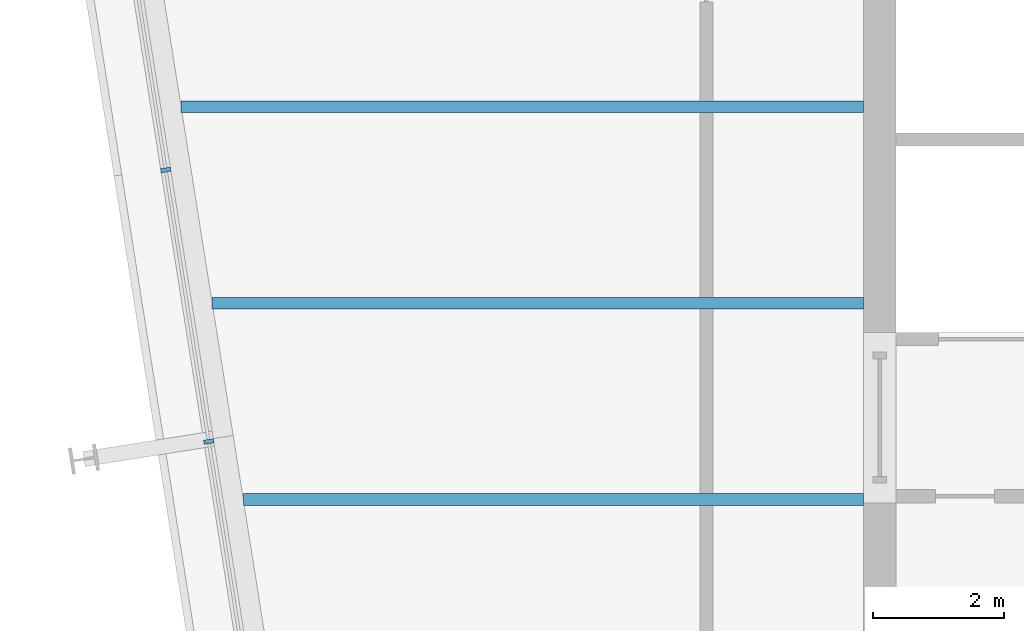
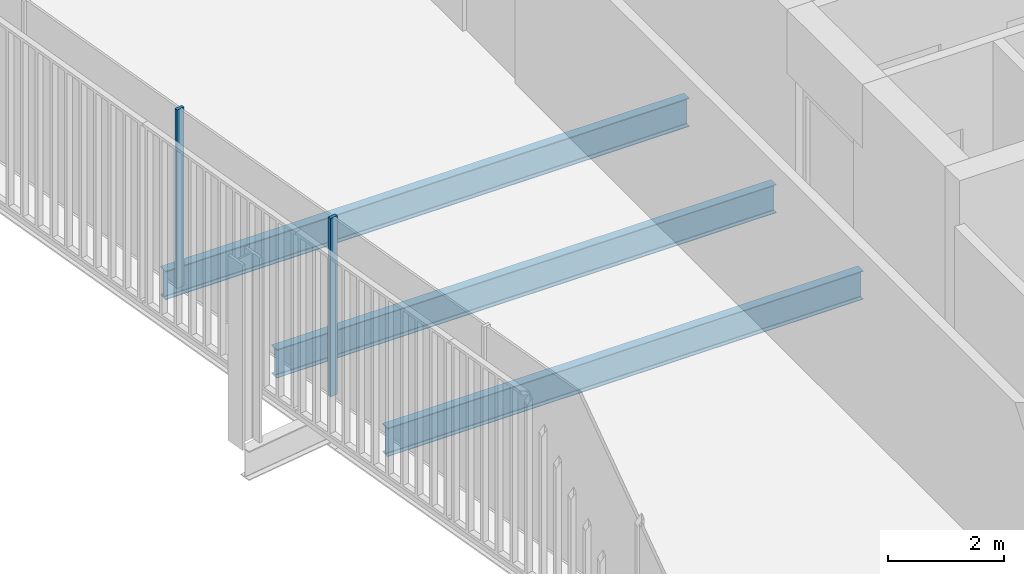
# One storey, part 4 of 20: 3 beams, 2 members, 1 element without a shape of its own.
"""IFC4 building model written with IfcOpenShell, lengths in metres."""

from ifc_helpers import new_model, si_unit, direction, frame, origin, origin_2d, place, context, subcontext, project, spatial, rectangle, i_section, extrude, material, layer, layer_set, material_profile, profile_set, type_object, element, aggregate, save


model = new_model("IFC4")

# Units and contexts
model_context = context("Model", 3, precision=1e-05, world=origin(), true_north=direction((0.0, 1.0)))
body_context = subcontext(model_context, "Body", "Model", "MODEL_VIEW")
ifc_project = project(units=[si_unit("LENGTHUNIT", "METRE"), si_unit("AREAUNIT", "SQUARE_METRE"), si_unit("VOLUMEUNIT", "CUBIC_METRE"), si_unit("PLANEANGLEUNIT", "RADIAN"), si_unit("MASSUNIT", "GRAM", prefix="KILO")], contexts=[model_context])

# Site, building, storey
site_placement = place(None, origin())
site = spatial("IfcSite", under=ifc_project, at=site_placement, CompositionType="ELEMENT")
building_placement = place(site_placement, origin())
building = spatial("IfcBuilding", under=site, at=building_placement, Name="Millrace Tower", CompositionType="ELEMENT")
storey_placement = place(building_placement, frame((0.0, 0.0, 232.0)))
storey = spatial("IfcBuildingStorey", under=building, at=storey_placement, Name="L53", CompositionType="ELEMENT", Elevation=232.0)

# Curtain wall, members
ifc_material_1 = material(Name="Aluminium and glass", Category="aluminium")
ifc_layer = layer(ifc_material_1, 0.14990234375)
ifc_layer_set = layer_set([ifc_layer], Name="Aluminium and glass")
curtain_wall_type = type_object("IfcCurtainWallType", Name="CW-1 office vision curtain wall", PredefinedType="NOTDEFINED", material=ifc_layer_set)
curtain_wall_placement = place(storey_placement, origin())
curtain_wall = element("IfcCurtainWall", 1, at=curtain_wall_placement, inside=storey, type_object=curtain_wall_type, Name="Curtain wall D-F08 L53", PredefinedType="NOTDEFINED")
ifc_material_2 = material(Name="Aluminium", Category="aluminium")
ifc_material_profile_1 = material_profile(ifc_material_2, rectangle(XDim=0.06494140625, YDim=0.14990234375, at=origin_2d()))
ifc_profile_set_1 = profile_set([ifc_material_profile_1], Name="Aluminium")
member_type = type_object("IfcMemberType", Name="CW-1 office vision curtain wall mullion", PredefinedType="MULLION", material=ifc_profile_set_1)
member_1_placement = place(storey_placement, frame((-25.057373046875, -0.966064453125, 0.139892578125), z_axis=(0.0, 0.0, 1.0), x_axis=(0.156434471884, -0.987688339511, 0.0)))
member_1 = element("IfcMember", 2, at=member_1_placement, type_object=member_type, Name="CW1 mullion D-F08.6", PredefinedType="MULLION", context=body_context, shape_type="SweptSolid", body=[
    extrude(rectangle(XDim=0.06494140625, YDim=0.14990234375, at=origin_2d()), origin(), (0.0, 0.0, 1.0), 3.760009765625),
])
member_2_placement = place(storey_placement, frame((-24.400390625, -5.1142578125, 0.139892578125), z_axis=(0.0, 0.0, 1.0), x_axis=(0.156434471884, -0.987688339511, 0.0)))
member_2 = element("IfcMember", 3, at=member_2_placement, type_object=member_type, Name="CW1 mullion D-F08.7", PredefinedType="MULLION", context=body_context, shape_type="SweptSolid", body=[
    extrude(rectangle(XDim=0.06494140625, YDim=0.14990234375, at=origin_2d()), origin(), (0.0, 0.0, 1.0), 3.760009765625),
])
aggregate(curtain_wall, [member_1, member_2])

# Beams
ifc_material_3 = material(Name="Steel ASTM A992 Grade 50", Category="steel")
ifc_material_profile_2 = material_profile(ifc_material_3, i_section(OverallWidth=0.177978515625, OverallDepth=0.599365234375, WebThickness=0.010009765625, FlangeThickness=0.012939453125, FilletRadius=0.012939453125, at=origin_2d()))
ifc_profile_set_2 = profile_set([ifc_material_profile_2], Name="Steel ASTM A992 Grade 50")
beam_type_1 = type_object("IfcBeamType", Name="Floor beam W24x55", PredefinedType="JOIST", material=ifc_profile_set_2)
beam_1_placement = place(storey_placement, frame((-23.872802734375, -6.0, -0.459716796875), z_axis=(1.0, 0.0, 0.0), x_axis=(0.0, 1.0, 0.0)))
element("IfcBeam", 4, at=beam_1_placement, inside=storey, type_object=beam_type_1, Name="BM-D-L53-S1-S009", PredefinedType="JOIST", context=body_context, shape_type="SweptSolid", body=[
    extrude(i_section(OverallWidth=0.177978515625, OverallDepth=0.599365234375, WebThickness=0.010009765625, FlangeThickness=0.012939453125, FilletRadius=0.012939453125, at=origin_2d()), origin(), (0.0, 0.0, 1.0), 9.472900390625),
])
beam_2_placement = place(storey_placement, frame((-24.34814453125, -3.0, -0.459716796875), z_axis=(1.0, 0.0, 0.0), x_axis=(0.0, 1.0, 0.0)))
element("IfcBeam", 5, at=beam_2_placement, inside=storey, type_object=beam_type_1, Name="BM-D-L53-S1-S012", PredefinedType="JOIST", context=body_context, shape_type="SweptSolid", body=[
    extrude(i_section(OverallWidth=0.177978515625, OverallDepth=0.599365234375, WebThickness=0.010009765625, FlangeThickness=0.012939453125, FilletRadius=0.012939453125, at=origin_2d()), origin(), (0.0, 0.0, 1.0), 9.9482421875),
])
ifc_material_4 = material(Name="Steel ASTM A992 Grade 50", Category="steel")
ifc_material_profile_3 = material_profile(ifc_material_4, i_section(OverallWidth=0.1787109375, OverallDepth=0.60205078125, WebThickness=0.010986328125, FlangeThickness=0.014892578125, FilletRadius=0.0126953125, at=origin_2d()))
ifc_profile_set_3 = profile_set([ifc_material_profile_3], Name="Steel ASTM A992 Grade 50")
beam_type_2 = type_object("IfcBeamType", Name="Floor beam W24x62", PredefinedType="JOIST", material=ifc_profile_set_3)
beam_3_placement = place(storey_placement, frame((-24.8232421875, 0.0, -0.4609375), z_axis=(1.0, 0.0, 0.0), x_axis=(0.0, 1.0, 0.0)))
element("IfcBeam", 6, at=beam_3_placement, inside=storey, type_object=beam_type_2, Name="BM-D-L53-S1-S015", PredefinedType="JOIST", context=body_context, shape_type="SweptSolid", body=[
    extrude(i_section(OverallWidth=0.1787109375, OverallDepth=0.60205078125, WebThickness=0.010986328125, FlangeThickness=0.014892578125, FilletRadius=0.0126953125, at=origin_2d()), origin(), (0.0, 0.0, 1.0), 10.42333984375),
])

save(model, "model.ifc")
